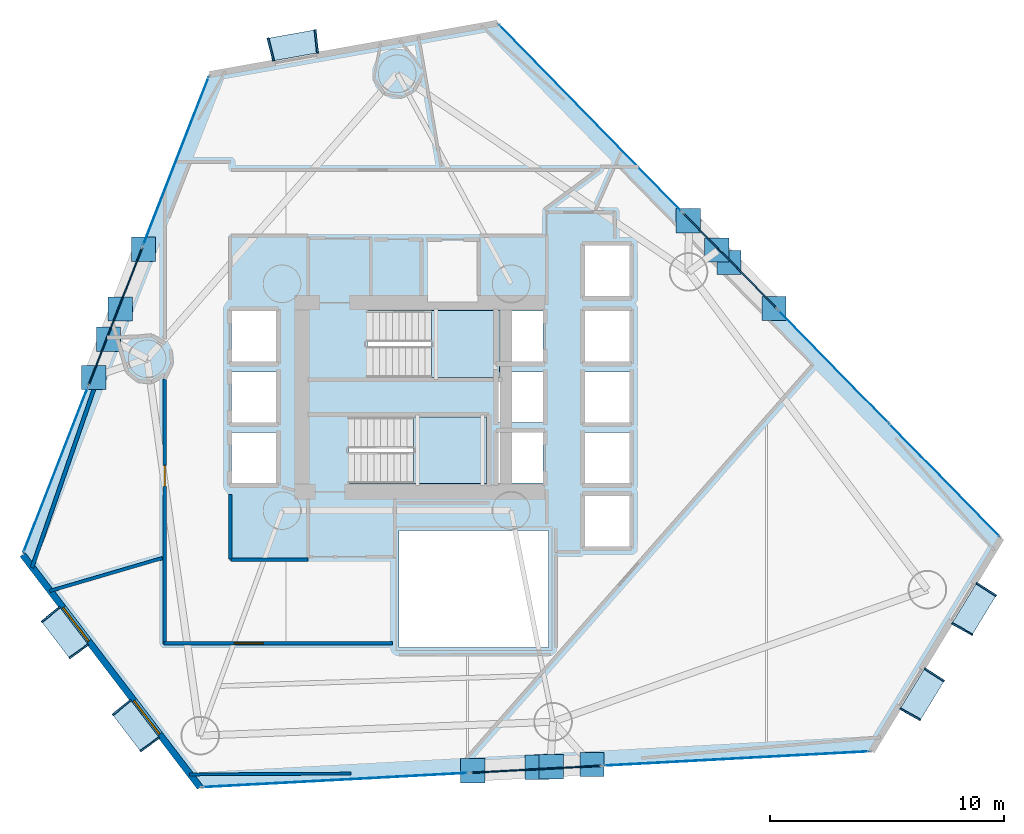
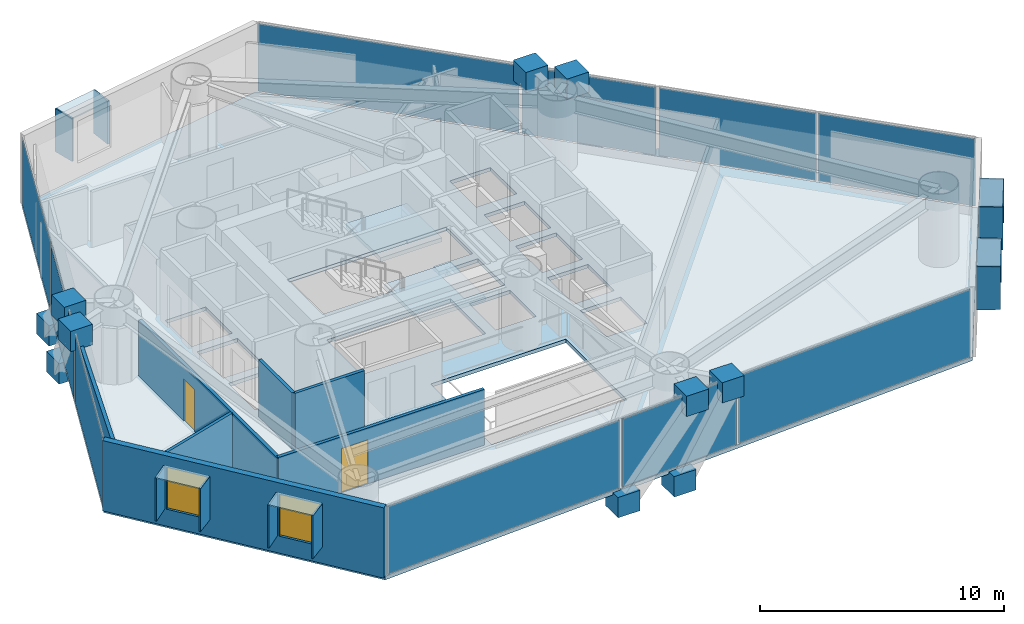
# One storey, part 15 of 23: 37 plates, 8 walls, 3 slabs, 2 doors, 2 windows, 4 openings, 11 elements without a shape of their own.
"""IFC4 building model written with IfcOpenShell, lengths in metres."""

from ifc_helpers import new_model, si_unit, direction, frame, frame_2d, origin, origin_2d, place, context, subcontext, project, spatial, polyline, rectangle, outline, extrude, material, layer, layer_set, type_object, element, fill, aggregate, save


model = new_model("IFC4")

# Units and contexts
model_context = context("Model", 3, precision=1e-05, world=origin(), true_north=direction((0.0, 1.0)))
body_context = subcontext(model_context, "Body", "Model", "MODEL_VIEW")
ifc_project = project(units=[si_unit("LENGTHUNIT", "METRE"), si_unit("AREAUNIT", "SQUARE_METRE"), si_unit("VOLUMEUNIT", "CUBIC_METRE"), si_unit("PLANEANGLEUNIT", "RADIAN"), si_unit("MASSUNIT", "GRAM", prefix="KILO")], contexts=[model_context])

# Site, building, storey
site_placement = place(None, origin())
site = spatial("IfcSite", under=ifc_project, at=site_placement, CompositionType="ELEMENT")
building_placement = place(site_placement, origin())
building = spatial("IfcBuilding", under=site, at=building_placement, Name="Qianvela Tower", CompositionType="ELEMENT")
storey_placement = place(building_placement, frame((0.0, 0.0, 56.199951171875)))
storey = spatial("IfcBuildingStorey", under=building, at=storey_placement, Name="L13", CompositionType="ELEMENT", Elevation=56.199951171875)

# Curtain wall, plate
ifc_material_1 = material(Name="Anodised Architectural Aluminium and Insulated Spandrel Panel", Category="aluminium")
ifc_layer_1 = layer(ifc_material_1, 0.179931640625)
ifc_layer_set_1 = layer_set([ifc_layer_1], Name="Anodised Architectural Aluminium and Insulated Spandrel Panel")
curtain_wall_type_1 = type_object("IfcCurtainWallType", Name="CW-BRACEBAY", PredefinedType="USERDEFINED", material=ifc_layer_set_1)
curtain_wall_1_placement = place(storey_placement, origin())
curtain_wall_1 = element("IfcCurtainWall", 1, at=curtain_wall_1_placement, inside=storey, type_object=curtain_wall_type_1, Name="L13 CW-BRACEBAY Curtain Wall 02B", ObjectType="CURTAIN_WALL_SYSTEM", PredefinedType="USERDEFINED")
ifc_material_2 = material(Name="Insulated Aluminium Spandrel Panel with Mineral-Wool Backpan", Category="aluminium")
ifc_layer_2 = layer(ifc_material_2, 0.06005859375)
ifc_layer_set_2 = layer_set([ifc_layer_2], Name="Insulated Aluminium Spandrel Panel with Mineral-Wool Backpan")
plate_type_1 = type_object("IfcPlateType", Name="CW-BRACEBAY-PNL", PredefinedType="CURTAIN_PANEL", material=ifc_layer_set_2)
plate_1_placement = place(storey_placement, frame((47.7548828125, 34.5361328125, 0.06494140625), z_axis=(0.0, 0.0, 1.0), x_axis=(-0.699245673652, 0.714881450227, 0.0)))
plate_1 = element("IfcPlate", 2, at=plate_1_placement, type_object=plate_type_1, Name="CW-9 panel 1.1", PredefinedType="CURTAIN_PANEL", context=body_context, shape_type="SweptSolid", body=[
    extrude(rectangle(XDim=5.68994140625, YDim=0.06005859375, at=origin_2d()), origin(), (0.0, 0.0, 1.0), 3.389892578125),
])
aggregate(curtain_wall_1, [plate_1])

curtain_wall_2_placement = place(storey_placement, origin())
curtain_wall_2 = element("IfcCurtainWall", 3, at=curtain_wall_2_placement, inside=storey, type_object=curtain_wall_type_1, Name="L13 CW-BRACEBAY Curtain Wall 04B", ObjectType="CURTAIN_WALL_SYSTEM", PredefinedType="USERDEFINED")
plate_2_placement = place(storey_placement, frame((21.473388671875, 32.15380859375, 0.06494140625), z_axis=(0.0, 0.0, 1.0), x_axis=(-0.362926529318, -0.931817758104, 0.0)))
plate_2 = element("IfcPlate", 4, at=plate_2_placement, type_object=plate_type_1, Name="CW-9 panel 1.1", PredefinedType="CURTAIN_PANEL", context=body_context, shape_type="SweptSolid", body=[
    extrude(rectangle(XDim=6.2900390625, YDim=0.06005859375, at=origin_2d()), origin(), (0.0, 0.0, 1.0), 3.389892578125),
])
aggregate(curtain_wall_2, [plate_2])

curtain_wall_3_placement = place(storey_placement, origin())
curtain_wall_3 = element("IfcCurtainWall", 5, at=curtain_wall_3_placement, inside=storey, type_object=curtain_wall_type_1, Name="L13 CW-BRACEBAY Curtain Wall 06B", ObjectType="CURTAIN_WALL_SYSTEM", PredefinedType="USERDEFINED")
plate_3_placement = place(storey_placement, frame((39.46240234375, 12.786376953125, 0.06494140625), z_axis=(0.0, 0.0, 1.0), x_axis=(0.998561732367, 0.053614052743, 0.0)))
plate_3 = element("IfcPlate", 6, at=plate_3_placement, type_object=plate_type_1, Name="CW-9 panel 1.1", PredefinedType="CURTAIN_PANEL", context=body_context, shape_type="SweptSolid", body=[
    extrude(rectangle(XDim=5.570068359375, YDim=0.06005859375, at=origin_2d()), origin(), (0.0, 0.0, 1.0), 3.389892578125),
])
aggregate(curtain_wall_3, [plate_3])

# Curtain wall, plates
ifc_material_3 = material(Name="Anodised Architectural Aluminium and Low-E Glass", Category="aluminium")
ifc_layer_3 = layer(ifc_material_3, 0.179931640625)
ifc_layer_set_3 = layer_set([ifc_layer_3], Name="Anodised Architectural Aluminium and Low-E Glass")
curtain_wall_type_2 = type_object("IfcCurtainWallType", Name="CW-COLIV-Z12", PredefinedType="USERDEFINED", material=ifc_layer_set_3)
curtain_wall_4_placement = place(storey_placement, origin())
curtain_wall_4 = element("IfcCurtainWall", 7, at=curtain_wall_4_placement, inside=storey, type_object=curtain_wall_type_2, Name="L13 CW-COLIV-Z12 Curtain Wall 02A", ObjectType="CURTAIN_WALL_SYSTEM", PredefinedType="USERDEFINED")
ifc_material_4 = material(Name="Double-Silver Low-E Insulated Glass", Category="glass")
ifc_layer_4 = layer(ifc_material_4, 0.030029296875)
ifc_layer_set_4 = layer_set([ifc_layer_4], Name="Double-Silver Low-E Insulated Glass")
plate_type_2 = type_object("IfcPlateType", Name="CW-COLIV-Z12-PNL", PredefinedType="CURTAIN_PANEL", material=ifc_layer_set_4)
plate_4_placement = place(storey_placement, frame((56.925537109375, 25.16064453125, 0.06494140625), z_axis=(0.0, 0.0, 1.0), x_axis=(-0.699249981323, 0.714877236747, 0.0)))
plate_4 = element("IfcPlate", 8, at=plate_4_placement, type_object=plate_type_2, Name="CW-3 panel 1.1", PredefinedType="CURTAIN_PANEL", context=body_context, shape_type="SweptSolid", body=[
    extrude(rectangle(XDim=6.7099609375, YDim=0.030029296875, at=origin_2d()), origin(), (0.0, 0.0, 1.0), 3.389892578125),
])
plate_5_placement = place(storey_placement, frame((52.1845703125, 30.00732421875, 0.06494140625), z_axis=(0.0, 0.0, 1.0), x_axis=(-0.699249981323, 0.714877236747, 0.0)))
plate_5 = element("IfcPlate", 9, at=plate_5_placement, type_object=plate_type_2, Name="CW-3 panel 2.1", PredefinedType="CURTAIN_PANEL", context=body_context, shape_type="SweptSolid", body=[
    extrude(rectangle(XDim=6.7099609375, YDim=0.030029296875, at=origin_2d()), origin(), (0.0, 0.0, 1.0), 3.389892578125),
])
aggregate(curtain_wall_4, [plate_4, plate_5])

# Curtain wall, plate
curtain_wall_5_placement = place(storey_placement, origin())
curtain_wall_5 = element("IfcCurtainWall", 10, at=curtain_wall_5_placement, inside=storey, type_object=curtain_wall_type_2, Name="L13 CW-COLIV-Z12 Curtain Wall 02C", ObjectType="CURTAIN_WALL_SYSTEM", PredefinedType="USERDEFINED")
plate_6_placement = place(storey_placement, frame((41.787841796875, 40.63671875, 0.06494140625), z_axis=(0.0, 0.0, 1.0), x_axis=(-0.69924822726, 0.714878952463, 0.0)))
plate_6 = element("IfcPlate", 11, at=plate_6_placement, type_object=plate_type_2, Name="CW-3 panel 1.1", PredefinedType="CURTAIN_PANEL", context=body_context, shape_type="SweptSolid", body=[
    extrude(rectangle(XDim=11.107177734375, YDim=0.030029296875, at=origin_2d()), origin(), (0.0, 0.0, 1.0), 3.389892578125),
])
aggregate(curtain_wall_5, [plate_6])

curtain_wall_6_placement = place(storey_placement, origin())
curtain_wall_6 = element("IfcCurtainWall", 12, at=curtain_wall_6_placement, inside=storey, type_object=curtain_wall_type_2, Name="L13 CW-COLIV-Z12 Curtain Wall 04A", ObjectType="CURTAIN_WALL_SYSTEM", PredefinedType="USERDEFINED")
plate_7_placement = place(storey_placement, frame((24.061279296875, 38.797607421875, 0.06494140625), z_axis=(0.0, 0.0, 1.0), x_axis=(-0.362934942042, -0.931814481453, 0.0)))
plate_7 = element("IfcPlate", 13, at=plate_7_placement, type_object=plate_type_2, Name="CW-3 panel 1.1", PredefinedType="CURTAIN_PANEL", context=body_context, shape_type="SweptSolid", body=[
    extrude(rectangle(XDim=7.699951171875, YDim=0.030029296875, at=origin_2d()), origin(), (0.0, 0.0, 1.0), 3.389892578125),
])
aggregate(curtain_wall_6, [plate_7])

curtain_wall_7_placement = place(storey_placement, origin())
curtain_wall_7 = element("IfcCurtainWall", 14, at=curtain_wall_7_placement, inside=storey, type_object=curtain_wall_type_2, Name="L13 CW-COLIV-Z12 Curtain Wall 04C", ObjectType="CURTAIN_WALL_SYSTEM", PredefinedType="USERDEFINED")
plate_8_placement = place(storey_placement, frame((18.915771484375, 25.586669921875, 0.06494140625), z_axis=(0.0, 0.0, 1.0), x_axis=(-0.362924673871, -0.931818480765, 0.0)))
plate_8 = element("IfcPlate", 15, at=plate_8_placement, type_object=plate_type_2, Name="CW-3 panel 1.1", PredefinedType="CURTAIN_PANEL", context=body_context, shape_type="SweptSolid", body=[
    extrude(rectangle(XDim=7.535400390625, YDim=0.030029296875, at=origin_2d()), origin(), (0.0, 0.0, 1.0), 3.389892578125),
])
aggregate(curtain_wall_7, [plate_8])

curtain_wall_8_placement = place(storey_placement, origin())
curtain_wall_8 = element("IfcCurtainWall", 16, at=curtain_wall_8_placement, inside=storey, type_object=curtain_wall_type_2, Name="L13 CW-COLIV-Z12 Curtain Wall 06A", ObjectType="CURTAIN_WALL_SYSTEM", PredefinedType="USERDEFINED")
plate_9_placement = place(storey_placement, frame((30.8798828125, 12.325439453125, 0.06494140625), z_axis=(0.0, 0.0, 1.0), x_axis=(0.998562323335, 0.053603044834, 0.0)))
plate_9 = element("IfcPlate", 17, at=plate_9_placement, type_object=plate_type_2, Name="CW-3 panel 1.1", PredefinedType="CURTAIN_PANEL", context=body_context, shape_type="SweptSolid", body=[
    extrude(rectangle(XDim=11.35009765625, YDim=0.030029296875, at=origin_2d()), origin(), (0.0, 0.0, 1.0), 3.389892578125),
])
aggregate(curtain_wall_8, [plate_9])

curtain_wall_9_placement = place(storey_placement, origin())
curtain_wall_9 = element("IfcCurtainWall", 18, at=curtain_wall_9_placement, inside=storey, type_object=curtain_wall_type_2, Name="L13 CW-COLIV-Z12 Curtain Wall 06C", ObjectType="CURTAIN_WALL_SYSTEM", PredefinedType="USERDEFINED")
plate_10_placement = place(storey_placement, frame((48.0341796875, 13.246337890625, 0.06494140625), z_axis=(0.0, 0.0, 1.0), x_axis=(0.998562412179, 0.053601389747, 0.0)))
plate_10 = element("IfcPlate", 19, at=plate_10_placement, type_object=plate_type_2, Name="CW-3 panel 1.1", PredefinedType="CURTAIN_PANEL", context=body_context, shape_type="SweptSolid", body=[
    extrude(rectangle(XDim=11.327880859375, YDim=0.030029296875, at=origin_2d()), origin(), (0.0, 0.0, 1.0), 3.389892578125),
])
aggregate(curtain_wall_9, [plate_10])

# Plates
ifc_material_5 = material(Name="Steel Q420GJC", Category="steel")
ifc_layer_5 = layer(ifc_material_5, 0.1298828125)
ifc_layer_set_5 = layer_set([ifc_layer_5], Name="Steel Q420GJC")
plate_type_3 = type_object("IfcPlateType", Name="PT-ENDCAP-130", PredefinedType="USERDEFINED", material=ifc_layer_set_5)
for number, where, z_axis, x_axis, name in (
    (20, (49.63916015625, 32.49560546875, -1.086181640625), (0.0, 0.0, 1.0), (1.0, 0.0, 0.0), "L13 Hollow Section End Cap Plate A"),
    (21, (47.19677734375, 34.992431640625, 2.7021484375), (0.0, 0.0, 1.0), (1.0, 0.0, 0.0), "L13 Hollow Section End Cap Plate B"),
    (22, (47.7177734375, 34.4599609375, -1.092041015625), (0.0, 0.0, 1.0), (1.0, 0.0, 0.0), "L13 Hollow Section End Cap Plate A"),
    (23, (45.976806640625, 36.23974609375, 2.708251953125), (0.0, 0.0, 1.0), (1.0, 0.0, 0.0), "L13 Hollow Section End Cap Plate B"),
    (24, (22.67822265625, 35.026123046875, -1.08251953125), (0.0, 0.0, 1.0), (1.0, 0.0, 0.0), "L13 Hollow Section End Cap Plate A"),
    (25, (21.177001953125, 31.172119140625, 2.698486328125), (0.0, 0.0, 1.0), (1.0, 0.0, 0.0), "L13 Hollow Section End Cap Plate B"),
    (26, (21.681396484375, 32.46728515625, -1.088134765625), (0.0, 0.0, 1.0), (1.0, 0.0, 0.0), "L13 Hollow Section End Cap Plate A"),
    (27, (20.543212890625, 29.544677734375, 2.704345703125), (0.0, 0.0, 1.0), (1.0, 0.0, 0.0), "L13 Hollow Section End Cap Plate B"),
    (28, (36.756591796875, 12.72119140625, -1.0869140625), (0.0, 0.0, 1.0), (1.0, 0.0, 0.0), "L13 Hollow Section End Cap Plate A"),
    (29, (40.111328125, 12.901123046875, 2.702880859375), (0.0, 0.0, 1.0), (1.0, 0.0, 0.0), "L13 Hollow Section End Cap Plate B"),
    (30, (39.500732421875, 12.868408203125, -1.093017578125), (0.0, 0.0, 1.0), (1.0, 0.0, 0.0), "L13 Hollow Section End Cap Plate A"),
    (31, (41.853515625, 12.994873046875, 2.708984375), (0.0, 0.0, 1.0), (1.0, 0.0, 0.0), "L13 Hollow Section End Cap Plate B"),
):
    element("IfcPlate", number, at=place(storey_placement, frame(where, z_axis=z_axis, x_axis=x_axis)), inside=storey, type_object=plate_type_3, Name=name, ObjectType="END_CAP", PredefinedType="USERDEFINED", context=body_context, shape_type="SweptSolid", body=[
        extrude(rectangle(XDim=1.0400390625, YDim=1.0400390625, at=origin_2d()), origin(), (0.0, 0.0, 1.0), 1.02001953125),
    ])

# Slab
ifc_material_6 = material(Name="Concrete C40", Category="concrete")
ifc_layer_6 = layer(ifc_material_6, 0.179931640625)
ifc_layer_set_6 = layer_set([ifc_layer_6], Name="Concrete C40")
slab_type_1 = type_object("IfcSlabType", Name="SL-FLOOR-180", PredefinedType="FLOOR", material=ifc_layer_set_6)
slab_1_placement = place(storey_placement, frame((0.0, 0.0, -0.179931640625)))
element("IfcSlab", 32, at=slab_1_placement, inside=storey, type_object=slab_type_1, Name="L13 Composite Structural Floor Slab", PredefinedType="FLOOR", context=body_context, shape_type="SweptSolid", body=[
    extrude(outline(polyline([(53.809814453125, 13.556396484375), (59.35546875, 22.676513671875), (37.820556640625, 44.6923828125), (25.501953125, 42.496826171875), (17.5048828125, 21.9638671875), (25.09326171875, 12.014892578125), (53.809814453125, 13.556396484375)]), holes=[polyline([(40.0, 23.0), (33.60009765625, 23.0), (33.60009765625, 18.0), (40.0, 18.0), (40.0, 23.0)]), polyline([(28.360107421875, 25.02001953125), (28.360107421875, 27.179931640625), (26.43994140625, 27.179931640625), (26.43994140625, 25.02001953125), (28.360107421875, 25.02001953125)]), polyline([(37.35009765625, 25.0), (37.35009765625, 27.860107421875), (31.469970703125, 27.860107421875), (31.469970703125, 25.0), (37.35009765625, 25.0)]), polyline([(28.360107421875, 27.6201171875), (28.360107421875, 29.780029296875), (26.43994140625, 29.780029296875), (26.43994140625, 27.6201171875), (28.360107421875, 27.6201171875)]), polyline([(37.89990234375, 32.3798828125), (37.89990234375, 32.39990234375), (32.25, 32.39990234375), (32.25, 29.5400390625), (37.840087890625, 29.5400390625), (37.840087890625, 27.6201171875), (39.760009765625, 27.6201171875), (39.760009765625, 29.780029296875), (37.89990234375, 29.780029296875), (37.89990234375, 30.219970703125), (39.760009765625, 30.219970703125), (39.760009765625, 32.3798828125), (37.89990234375, 32.3798828125)]), polyline([(28.360107421875, 30.219970703125), (28.360107421875, 32.3798828125), (26.43994140625, 32.3798828125), (26.43994140625, 30.219970703125), (28.360107421875, 30.219970703125)]), polyline([(43.4599609375, 24.47998046875), (41.5400390625, 24.47998046875), (41.5400390625, 22.320068359375), (43.4599609375, 22.320068359375), (43.4599609375, 24.47998046875)]), polyline([(39.760009765625, 25.02001953125), (39.760009765625, 27.179931640625), (37.840087890625, 27.179931640625), (37.840087890625, 25.02001953125), (39.760009765625, 25.02001953125)]), polyline([(43.4599609375, 25.02001953125), (43.4599609375, 27.179931640625), (41.5400390625, 27.179931640625), (41.5400390625, 25.02001953125), (43.4599609375, 25.02001953125)]), polyline([(43.4599609375, 27.6201171875), (43.4599609375, 29.780029296875), (41.5400390625, 29.780029296875), (41.5400390625, 27.6201171875), (43.4599609375, 27.6201171875)]), polyline([(43.4599609375, 30.219970703125), (43.4599609375, 32.3798828125), (41.5400390625, 32.3798828125), (41.5400390625, 30.219970703125), (43.4599609375, 30.219970703125)]), polyline([(43.4599609375, 33.02001953125), (43.4599609375, 35.179931640625), (41.5400390625, 35.179931640625), (41.5400390625, 33.02001953125), (43.4599609375, 33.02001953125)])]), origin(), (0.0, 0.0, 1.0), 0.179931640625),
])

# Stair, slab
ifc_material_7 = material(Name="Concrete C40", Category="concrete")
stair_type = type_object("IfcStairType", Name="ST-DOGLEG-1350-R168-N22", PredefinedType="HALF_TURN_STAIR", material=ifc_material_7)
stair_1_placement = place(storey_placement, origin())
stair_1 = element("IfcStair", 33, at=stair_1_placement, inside=storey, type_object=stair_type, Name="L13 Smoke-Proof Core Stair ST-1", PredefinedType="HALF_TURN_STAIR")
ifc_material_8 = material(Name="Concrete C40", Category="concrete")
ifc_layer_7 = layer(ifc_material_8, 0.199951171875)
ifc_layer_set_7 = layer_set([ifc_layer_7], Name="Concrete C40")
slab_type_2 = type_object("IfcSlabType", Name="SL-STAIR-LANDING-200", PredefinedType="LANDING", material=ifc_layer_set_7)
slab_2_placement = place(storey_placement, frame((0.0, 0.0, 1.650146484375)))
slab_2 = element("IfcSlab", 34, at=slab_2_placement, type_object=slab_type_2, Name="ST-1 landing 1", PredefinedType="LANDING", context=body_context, shape_type="SweptSolid", body=[
    extrude(outline(polyline([(35.0, 29.5400390625), (37.89990234375, 29.5400390625), (37.89990234375, 32.39990234375), (35.0, 32.39990234375), (35.0, 29.5400390625)])), origin(), (0.0, 0.0, 1.0), 0.199951171875),
])
aggregate(stair_1, [slab_2])

stair_2_placement = place(storey_placement, origin())
stair_2 = element("IfcStair", 35, at=stair_2_placement, inside=storey, type_object=stair_type, Name="L13 Smoke-Proof Core Stair ST-2", PredefinedType="HALF_TURN_STAIR")
slab_3_placement = place(storey_placement, frame((0.0, 0.0, 1.650146484375)))
slab_3 = element("IfcSlab", 36, at=slab_3_placement, type_object=slab_type_2, Name="ST-2 landing 1", PredefinedType="LANDING", context=body_context, shape_type="SweptSolid", body=[
    extrude(outline(polyline([(34.219970703125, 25.0), (37.35009765625, 25.0), (37.35009765625, 27.860107421875), (34.219970703125, 27.860107421875), (34.219970703125, 25.0)])), origin(), (0.0, 0.0, 1.0), 0.199951171875),
])
aggregate(stair_2, [slab_3])

# Plates
ifc_material_9 = material(Name="Vitrified Architectural Terracotta Panel", Category="masonry")
ifc_layer_8 = layer(ifc_material_9, 0.06494140625)
ifc_layer_set_8 = layer_set([ifc_layer_8], Name="Vitrified Architectural Terracotta Panel")
plate_type_4 = type_object("IfcPlateType", Name="TERRACOTTA-SUNSHADE-HOOD-FOLD-B", PredefinedType="USERDEFINED", material=ifc_layer_set_8)
for number, where, z_axis, x_axis, name in (
    (37, (55.98193359375, 15.9833984375, 2.9599609375), (0.0, 0.0, 1.0), (0.519568324313, 0.854428906563, 0.0), "L13 Terracotta Sunshade Hood FOLD-B"),
    (38, (58.2001953125, 19.63134765625, 2.9599609375), (0.0, 0.0, 1.0), (0.519568324313, 0.854428906563, 0.0), "L13 Terracotta Sunshade Hood FOLD-B"),
    (39, (19.30810546875, 18.618408203125, 2.9599609375), (0.0, 0.0, 1.0), (0.606457561534, -0.795115857003, 0.0), "L13 Terracotta Sunshade Hood FOLD-B"),
    (40, (22.343505859375, 14.638916015625, 2.9599609375), (0.0, 0.0, 1.0), (0.606457561534, -0.795115857003, 0.0), "L13 Terracotta Sunshade Hood FOLD-B"),
):
    element("IfcPlate", number, at=place(storey_placement, frame(where, z_axis=z_axis, x_axis=x_axis)), inside=storey, type_object=plate_type_4, Name=name, ObjectType="SUNSHADE", PredefinedType="USERDEFINED", context=body_context, shape_type="SweptSolid", body=[
        extrude(rectangle(XDim=2.0400390625, YDim=0.989990234375, at=origin_2d()), origin(), (0.0, 0.0, 1.0), 0.06005859375),
    ])
ifc_material_10 = material(Name="Vitrified Architectural Terracotta Panel", Category="masonry")
ifc_layer_9 = layer(ifc_material_10, 0.074951171875)
ifc_layer_set_9 = layer_set([ifc_layer_9], Name="Vitrified Architectural Terracotta Panel")
plate_type_5 = type_object("IfcPlateType", Name="TERRACOTTA-SUNSHADE-HOOD-FOLD-D", PredefinedType="USERDEFINED", material=ifc_layer_set_9)
plate_11_placement = place(storey_placement, frame((29.09326171875, 43.7412109375, 2.9599609375), z_axis=(0.0, 0.0, 1.0), x_axis=(-0.984484810216, -0.175469822062, 0.0)))
element("IfcPlate", 41, at=plate_11_placement, inside=storey, type_object=plate_type_5, Name="L13 Terracotta Sunshade Hood FOLD-D", ObjectType="SUNSHADE", PredefinedType="USERDEFINED", context=body_context, shape_type="SweptSolid", body=[
    extrude(rectangle(XDim=2.0400390625, YDim=0.989990234375, at=origin_2d()), origin(), (0.0, 0.0, 1.0), 0.06005859375),
])
ifc_material_11 = material(Name="Vitrified Architectural Terracotta Side Fin Panel", Category="masonry")
ifc_layer_10 = layer(ifc_material_11, 0.070068359375)
ifc_layer_set_10 = layer_set([ifc_layer_10], Name="Vitrified Architectural Terracotta Side Fin Panel")
plate_type_6 = type_object("IfcPlateType", Name="TERRACOTTA-SUNSHADE-STRUT-FOLD-B", PredefinedType="USERDEFINED", material=ifc_layer_set_10)
for number, where, z_axis, x_axis, name in (
    (42, (55.467529296875, 15.137451171875, 0.85009765625), (0.0, 0.0, 1.0), (0.493233004436, 0.869897237227, 0.0), "L13 Terracotta Sunshade Side Fin HL FOLD-B"),
    (43, (56.496337890625, 16.8291015625, 0.85009765625), (0.0, 0.0, 1.0), (0.545418981336, 0.838163548956, 0.0), "L13 Terracotta Sunshade Side Fin HR FOLD-B"),
    (44, (57.685791015625, 18.785400390625, 0.85009765625), (0.0, 0.0, 1.0), (0.493233004436, 0.869897237227, 0.0), "L13 Terracotta Sunshade Side Fin HL FOLD-B"),
    (45, (58.714599609375, 20.477294921875, 0.85009765625), (0.0, 0.0, 1.0), (0.545418981336, 0.838163548956, 0.0), "L13 Terracotta Sunshade Side Fin HR FOLD-B"),
    (46, (18.707763671875, 19.405517578125, 0.85009765625), (0.0, 0.0, 1.0), (0.630456360273, -0.776224695428, 0.0), "L13 Terracotta Sunshade Side Fin HL FOLD-B"),
    (47, (19.90869140625, 17.831298828125, 0.85009765625), (0.0, 0.0, 1.0), (0.581893048068, -0.813265319936, 0.0), "L13 Terracotta Sunshade Side Fin HR FOLD-B"),
    (48, (21.7431640625, 15.42578125, 0.85009765625), (0.0, 0.0, 1.0), (0.630456360273, -0.776224695428, 0.0), "L13 Terracotta Sunshade Side Fin HL FOLD-B"),
    (49, (22.944091796875, 13.8515625, 0.85009765625), (0.0, 0.0, 1.0), (0.581893048068, -0.813265319936, 0.0), "L13 Terracotta Sunshade Side Fin HR FOLD-B"),
):
    element("IfcPlate", number, at=place(storey_placement, frame(where, z_axis=z_axis, x_axis=x_axis)), inside=storey, type_object=plate_type_6, Name=name, ObjectType="SUNSHADE", PredefinedType="USERDEFINED", context=body_context, shape_type="SweptSolid", body=[
        extrude(rectangle(XDim=0.070068359375, YDim=1.010009765625, at=origin_2d()), origin(), (0.0, 0.0, 1.0), 2.159912109375),
    ])
ifc_material_12 = material(Name="Vitrified Architectural Terracotta Side Fin Panel", Category="masonry")
ifc_layer_11 = layer(ifc_material_12, 0.080078125)
ifc_layer_set_11 = layer_set([ifc_layer_11], Name="Vitrified Architectural Terracotta Side Fin Panel")
plate_type_7 = type_object("IfcPlateType", Name="TERRACOTTA-SUNSHADE-STRUT-FOLD-D", PredefinedType="USERDEFINED", material=ifc_layer_set_11)
for number, where, z_axis, x_axis, name in (
    (50, (30.06787109375, 43.9150390625, 0.85009765625), (0.0, 0.0, 1.0), (-0.994781462803, -0.102028629625, 0.0), "L13 Terracotta Sunshade Side Fin HL FOLD-D"),
    (51, (28.118408203125, 43.567626953125, 0.85009765625), (0.0, 0.0, 1.0), (-0.968773855627, -0.247945995436, 0.0), "L13 Terracotta Sunshade Side Fin HR FOLD-D"),
):
    element("IfcPlate", number, at=place(storey_placement, frame(where, z_axis=z_axis, x_axis=x_axis)), inside=storey, type_object=plate_type_7, Name=name, ObjectType="SUNSHADE", PredefinedType="USERDEFINED", context=body_context, shape_type="SweptSolid", body=[
        extrude(rectangle(XDim=0.080078125, YDim=1.010009765625, at=origin_2d()), origin(), (0.0, 0.0, 1.0), 2.159912109375),
    ])

# Wall, openings, windows
ifc_material_13 = material(Name="Terracotta Cladding on Concrete C40", Category="masonry")
ifc_layer_12 = layer(ifc_material_13, 0.280029296875)
ifc_layer_set_12 = layer_set([ifc_layer_12], Name="Terracotta Cladding on Concrete C40")
wall_type_1 = type_object("IfcWallType", Name="TERRACOTTA-WALL-280", PredefinedType="SOLIDWALL", material=ifc_layer_set_12)
wall_1_placement = place(storey_placement, frame((17.5048828125, 21.9638671875, 0.0), z_axis=(0.0, 0.0, 1.0), x_axis=(0.606458166226, -0.795115395787, 0.0)))
wall_1 = element("IfcWall", 52, at=wall_1_placement, inside=storey, type_object=wall_type_1, Name="L13 Terracotta Chamfer Facet Wall 5", PredefinedType="SOLIDWALL", context=body_context, shape_type="SweptSolid", body=[
    extrude(rectangle(XDim=12.5126953125, YDim=0.280029296875, at=frame_2d((6.25634765625, 0.0))), origin(), (0.0, 0.0, 1.0), 3.52001953125),
])
opening_1_placement = place(wall_1_placement, frame((2.853759765625, 0.0, 0.85009765625)))
opening_1 = element("IfcOpeningElement", 53, at=opening_1_placement, cuts=wall_1, Name="Opening W-01", PredefinedType="OPENING", context=body_context, shape_type="SweptSolid", body=[
    extrude(rectangle(XDim=1.800048828125, YDim=2.10009765625, at=frame_2d((0.89990234375, 1.050048828125))), frame((0.0, 0.14990234375, 0.0), z_axis=(0.0, -1.0, 0.0), x_axis=(1.0, 0.0, 0.0)), (0.0, 0.0, 1.0), 0.300048828125),
])
opening_2_placement = place(wall_1_placement, frame((7.85888671875, 0.0, 0.85009765625)))
opening_2 = element("IfcOpeningElement", 54, at=opening_2_placement, cuts=wall_1, Name="Opening W-01", PredefinedType="OPENING", context=body_context, shape_type="SweptSolid", body=[
    extrude(rectangle(XDim=1.800048828125, YDim=2.10009765625, at=frame_2d((0.89990234375, 1.050048828125))), frame((0.0, 0.14990234375, 0.0), z_axis=(0.0, -1.0, 0.0), x_axis=(1.0, 0.0, 0.0)), (0.0, 0.0, 1.0), 0.300048828125),
])
ifc_material_14 = material(Name="Thermally Broken Aluminium and Low-E Glass", Category="aluminium")
window_type = type_object("IfcWindowType", Name="WIN-TC-1800x2100", PartitioningType="DOUBLE_PANEL_VERTICAL", PredefinedType="WINDOW", material=ifc_material_14)
window_1_placement = place(opening_1_placement, origin())
window_1 = element("IfcWindow", 55, at=window_1_placement, inside=storey, type_object=window_type, Name="L13 Chamfer Facet Window 5.1", OverallHeight=2.10009765625, OverallWidth=1.800048828125, PartitioningType="SINGLE_PANEL", PredefinedType="WINDOW", context=body_context, shape_type="SweptSolid", body=[
    extrude(rectangle(XDim=1.800048828125, YDim=2.10009765625, at=frame_2d((0.89990234375, 1.050048828125))), frame((0.0, 0.030029296875, 0.0), z_axis=(0.0, -1.0, 0.0), x_axis=(1.0, 0.0, 0.0)), (0.0, 0.0, 1.0), 0.06005859375),
])
fill(opening_1, window_1)
window_2_placement = place(opening_2_placement, origin())
window_2 = element("IfcWindow", 56, at=window_2_placement, inside=storey, type_object=window_type, Name="L13 Chamfer Facet Window 5.2", OverallHeight=2.10009765625, OverallWidth=1.800048828125, PartitioningType="SINGLE_PANEL", PredefinedType="WINDOW", context=body_context, shape_type="SweptSolid", body=[
    extrude(rectangle(XDim=1.800048828125, YDim=2.10009765625, at=frame_2d((0.89990234375, 1.050048828125))), frame((0.0, 0.030029296875, 0.0), z_axis=(0.0, -1.0, 0.0), x_axis=(1.0, 0.0, 0.0)), (0.0, 0.0, 1.0), 0.06005859375),
])
fill(opening_2, window_2)

# Walls
ifc_material_15 = material(Name="Fire-Rated Acoustic Gypsum Board")
ifc_layer_13 = layer(ifc_material_15, 0.14990234375)
ifc_layer_set_13 = layer_set([ifc_layer_13], Name="Fire-Rated Acoustic Gypsum Board")
wall_type_2 = type_object("IfcWallType", Name="WT-CORR-150", PredefinedType="PARTITIONING", material=ifc_layer_set_13)
wall_2_placement = place(storey_placement, frame((26.388916015625, 24.530517578125, 0.0), z_axis=(0.0, 0.0, 1.0), x_axis=(0.0, -1.0, 0.0)))
element("IfcWall", 57, at=wall_2_placement, inside=storey, type_object=wall_type_2, Name="L13 Partition 48", PredefinedType="PARTITIONING", context=body_context, shape_type="SweptSolid", body=[
    extrude(rectangle(XDim=2.75048828125, YDim=0.14990234375, at=frame_2d((1.375244140625, 0.0))), origin(), (0.0, 0.0, 1.0), 2.840087890625),
])
wall_3_placement = place(storey_placement, frame((26.419921875, 21.7490234375, 0.0), z_axis=(0.0, 0.0, 1.0), x_axis=(1.0, 0.0, 0.0)))
element("IfcWall", 58, at=wall_3_placement, inside=storey, type_object=wall_type_2, Name="L13 Partition 49 seg 1", PredefinedType="PARTITIONING", context=body_context, shape_type="SweptSolid", body=[
    extrude(rectangle(XDim=3.280029296875, YDim=0.14990234375, at=frame_2d((1.64013671875, 0.0))), origin(), (0.0, 0.0, 1.0), 2.840087890625),
])

# Wall, opening, door
wall_4_placement = place(storey_placement, frame((33.320068359375, 18.180908203125, 0.0), z_axis=(0.0, 0.0, 1.0), x_axis=(-1.0, 0.0, 0.0)))
wall_4 = element("IfcWall", 59, at=wall_4_placement, inside=storey, type_object=wall_type_2, Name="L13 Partition 50", PredefinedType="PARTITIONING", context=body_context, shape_type="SweptSolid", body=[
    extrude(rectangle(XDim=9.77001953125, YDim=0.14990234375, at=frame_2d((4.885009765625, 0.0))), origin(), (0.0, 0.0, 1.0), 2.798095703125),
])
opening_3_placement = place(wall_4_placement, frame((5.52001953125, 0.0, 0.0)))
opening_3 = element("IfcOpeningElement", 60, at=opening_3_placement, cuts=wall_4, Name="Opening D-LG1", PredefinedType="OPENING", context=body_context, shape_type="SweptSolid", body=[
    extrude(rectangle(XDim=1.25, YDim=2.199951171875, at=frame_2d((0.625, 1.10009765625))), frame((0.0, 0.0849609375, 0.0), z_axis=(0.0, -1.0, 0.0), x_axis=(1.0, 0.0, 0.0)), (0.0, 0.0, 1.0), 0.169921875),
])
ifc_material_16 = material(Name="Anodised Aluminium Acoustic Glass Door", Category="aluminium")
door_type_1 = type_object("IfcDoorType", Name="DT-LOUNGE-1250", OperationType="NOTDEFINED", PredefinedType="DOOR", material=ifc_material_16)
door_1_placement = place(opening_3_placement, origin())
door_1 = element("IfcDoor", 61, at=door_1_placement, inside=storey, type_object=door_type_1, Name="L13 Door Student Reading Library L13-01A to L13 Floor Corridor", OperationType="SINGLE_SWING_RIGHT", OverallHeight=2.199951171875, OverallWidth=1.25, PredefinedType="DOOR", context=body_context, shape_type="SweptSolid", body=[
    extrude(rectangle(XDim=1.25, YDim=2.199951171875, at=frame_2d((0.625, 1.10009765625))), frame((0.0, 0.02490234375, 0.0), z_axis=(0.0, -1.0, 0.0), x_axis=(1.0, 0.0, 0.0)), (0.0, 0.0, 1.0), 0.050048828125),
])
fill(opening_3, door_1)

wall_5_placement = place(storey_placement, frame((23.5810546875, 18.14990234375, 0.0), z_axis=(0.0, 0.0, 1.0), x_axis=(0.0, 1.0, 0.0)))
wall_5 = element("IfcWall", 62, at=wall_5_placement, inside=storey, type_object=wall_type_2, Name="L13 Partition 51", PredefinedType="PARTITIONING", context=body_context, shape_type="SweptSolid", body=[
    extrude(rectangle(XDim=11.3330078125, YDim=0.14990234375, at=frame_2d((5.66650390625, 0.0))), origin(), (0.0, 0.0, 1.0), 2.798095703125),
])
opening_4_placement = place(wall_5_placement, frame((6.734619140625, 0.0, 0.0)))
opening_4 = element("IfcOpeningElement", 63, at=opening_4_placement, cuts=wall_5, Name="Opening D-KT1", PredefinedType="OPENING", context=body_context, shape_type="SweptSolid", body=[
    extrude(rectangle(XDim=0.89990234375, YDim=2.10009765625, at=frame_2d((0.449951171875, 1.050048828125))), frame((0.0, 0.0849609375, 0.0), z_axis=(0.0, -1.0, 0.0), x_axis=(1.0, 0.0, 0.0)), (0.0, 0.0, 1.0), 0.169921875),
])
ifc_material_17 = material(Name="Glazed Timber Kitchen Door", Category="wood")
door_type_2 = type_object("IfcDoorType", Name="DT-KITCH-900", OperationType="NOTDEFINED", PredefinedType="DOOR", material=ifc_material_17)
door_2_placement = place(opening_4_placement, origin())
door_2 = element("IfcDoor", 64, at=door_2_placement, inside=storey, type_object=door_type_2, Name="L13 Door Shared Communal Kitchen L13-04 to L13 Floor Corridor", OperationType="SINGLE_SWING_LEFT", OverallHeight=2.10009765625, OverallWidth=0.89990234375, PredefinedType="DOOR", context=body_context, shape_type="SweptSolid", body=[
    extrude(rectangle(XDim=0.89990234375, YDim=2.10009765625, at=frame_2d((0.449951171875, 1.050048828125))), frame((0.0, 0.02490234375, 0.0), z_axis=(0.0, -1.0, 0.0), x_axis=(1.0, 0.0, 0.0)), (0.0, 0.0, 1.0), 0.050048828125),
])
fill(opening_4, door_2)

# Walls
ifc_material_18 = material(Name="Insulated Gypsum Stud Partition")
ifc_layer_14 = layer(ifc_material_18, 0.1201171875)
ifc_layer_set_14 = layer_set([ifc_layer_14], Name="Insulated Gypsum Stud Partition")
wall_type_3 = type_object("IfcWallType", Name="WT-PART-120", PredefinedType="PARTITIONING", material=ifc_layer_set_14)
wall_6_placement = place(storey_placement, frame((31.554931640625, 12.60205078125, 0.0), z_axis=(0.0, 0.0, 1.0), x_axis=(-0.999987746525, -0.004950434389, 0.0)))
element("IfcWall", 65, at=wall_6_placement, inside=storey, type_object=wall_type_3, Name="L13 Partition 68 seg 1", PredefinedType="PARTITIONING", context=body_context, shape_type="SweptSolid", body=[
    extrude(rectangle(XDim=6.904296875, YDim=0.1201171875, at=frame_2d((3.4521484375, 0.0))), origin(), (0.0, 0.0, 1.0), 2.840087890625),
])
ifc_material_19 = material(Name="Sanitary Service Chase Partition")
ifc_layer_15 = layer(ifc_material_19, 0.1650390625)
ifc_layer_set_15 = layer_set([ifc_layer_15], Name="Sanitary Service Chase Partition")
wall_type_4 = type_object("IfcWallType", Name="WT-PLUMB-165", PredefinedType="PLUMBINGWALL", material=ifc_layer_set_15)
wall_7_placement = place(storey_placement, frame((17.90673828125, 21.40869140625, 0.0), z_axis=(0.0, 0.0, 1.0), x_axis=(0.327869084201, 0.944723167719, 0.0)))
element("IfcWall", 66, at=wall_7_placement, inside=storey, type_object=wall_type_4, Name="L13 Partition 109 seg 1", PredefinedType="PLUMBINGWALL", context=body_context, shape_type="SweptSolid", body=[
    extrude(rectangle(XDim=8.997314453125, YDim=0.1650390625, at=frame_2d((4.49853515625, 0.0))), origin(), (0.0, 0.0, 1.0), 2.798095703125),
])
ifc_material_20 = material(Name="Acoustic Double Gypsum Stud Partition")
ifc_layer_16 = layer(ifc_material_20, 0.139892578125)
ifc_layer_set_16 = layer_set([ifc_layer_16], Name="Acoustic Double Gypsum Stud Partition")
wall_type_5 = type_object("IfcWallType", Name="WT-ROOM-140", PredefinedType="PARTITIONING", material=ifc_layer_set_16)
wall_8_placement = place(storey_placement, frame((18.667236328125, 20.408935546875, 0.0), z_axis=(0.0, 0.0, 1.0), x_axis=(0.95968744244, 0.281069409263, 0.0)))
element("IfcWall", 67, at=wall_8_placement, inside=storey, type_object=wall_type_5, Name="L13 Partition 70", PredefinedType="PARTITIONING", context=body_context, shape_type="SweptSolid", body=[
    extrude(rectangle(XDim=5.013671875, YDim=0.139892578125, at=frame_2d((2.5068359375, 0.0))), origin(), (0.0, 0.0, 1.0), 2.840087890625),
])

save(model, "model.ifc")
